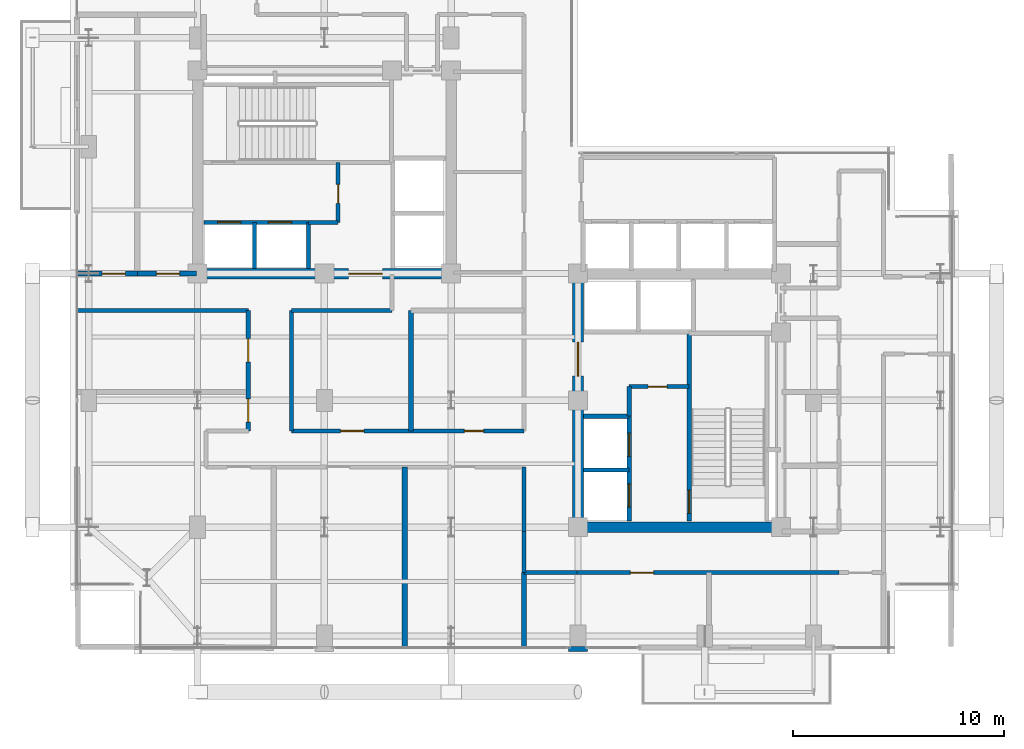
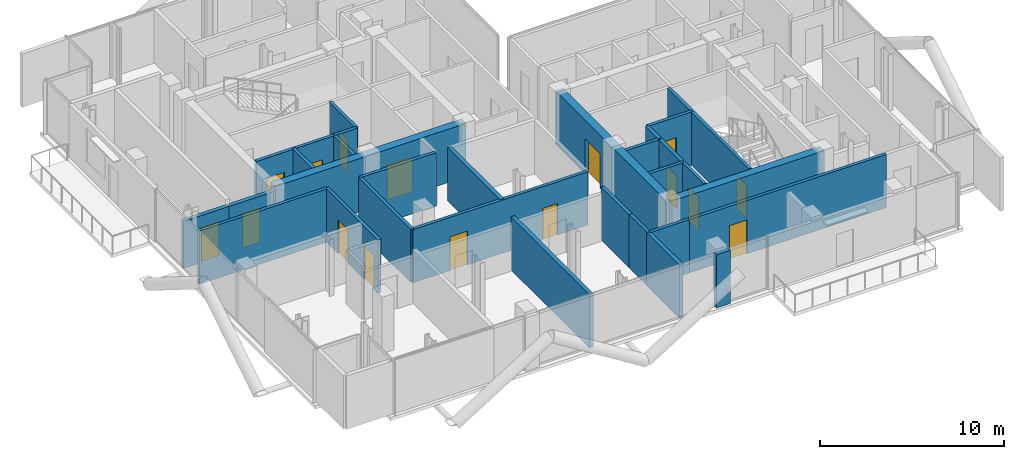
# One storey, part 20 of 26: 29 walls, 16 doors, 16 openings.
"""IFC4 building model written with IfcOpenShell, lengths in metres."""

from ifc_helpers import new_model, si_unit, direction, frame, frame_2d, origin, place, context, subcontext, project, spatial, rectangle, extrude, material, layer, layer_set, type_object, element, fill, save


model = new_model("IFC4")

# Units and contexts
model_context = context("Model", 3, precision=1e-05, world=origin(), true_north=direction((0.0, 1.0)))
body_context = subcontext(model_context, "Body", "Model", "MODEL_VIEW")
ifc_project = project(units=[si_unit("LENGTHUNIT", "METRE"), si_unit("AREAUNIT", "SQUARE_METRE"), si_unit("VOLUMEUNIT", "CUBIC_METRE"), si_unit("PLANEANGLEUNIT", "RADIAN"), si_unit("MASSUNIT", "GRAM", prefix="KILO"), si_unit("THERMODYNAMICTEMPERATUREUNIT", "KELVIN"), si_unit("POWERUNIT", "WATT")], contexts=[model_context])

# Site, building, storey
site_placement = place(None, origin())
site = spatial("IfcSite", under=ifc_project, at=site_placement, CompositionType="ELEMENT")
building_placement = place(site_placement, origin())
building = spatial("IfcBuilding", under=site, at=building_placement, Name="Svarakhadi Broadcast Tower", CompositionType="ELEMENT")
storey_placement = place(building_placement, frame((0.0, 0.0, 180.449951171875)))
storey = spatial("IfcBuildingStorey", under=building, at=storey_placement, Name="L44", CompositionType="ELEMENT", Elevation=180.449951171875)

# Wall
ifc_material_1 = material(Name="Double-Stud Acoustic Studio Partition STC-62", Category="gypsum")
ifc_layer_1 = layer(ifc_material_1, 0.25)
ifc_layer_set_1 = layer_set([ifc_layer_1], Name="Double-Stud Acoustic Studio Partition STC-62")
wall_type_1 = type_object("IfcWallType", Name="Wall_Acoust_250", PredefinedType="PARTITIONING", material=ifc_layer_set_1)
wall_1_placement = place(storey_placement, frame((16.10009765625, 10.550048828125, 0.0), z_axis=(0.0, 0.0, 1.0), x_axis=(0.0, 1.0, 0.0)))
element("IfcWall", 1, at=wall_1_placement, inside=storey, type_object=wall_type_1, Name="L44 Central Review Briefing Pod Wall", PredefinedType="PARTITIONING", context=body_context, shape_type="SweptSolid", body=[
    extrude(rectangle(XDim=5.699951171875, YDim=0.25, at=frame_2d((2.85009765625, 0.0))), origin(), (0.0, 0.0, 1.0), 3.5400390625),
])

# Wall, opening, door
wall_2_placement = place(storey_placement, frame((0.300048828125, 18.0, 0.0), z_axis=(0.0, 0.0, 1.0), x_axis=(1.0, 0.0, 0.0)))
wall_2 = element("IfcWall", 2, at=wall_2_placement, inside=storey, type_object=wall_type_1, Name="L44 Diplomatic Sunset Lounge Wall", PredefinedType="PARTITIONING", context=body_context, shape_type="SweptSolid", body=[
    extrude(rectangle(XDim=2.849853515625, YDim=0.25, at=frame_2d((1.4248046875, 0.0))), origin(), (0.0, 0.0, 1.0), 3.132080078125),
])
opening_1_placement = place(wall_2_placement, frame((1.179931640625, 0.0, 0.0)))
opening_1 = element("IfcOpeningElement", 3, at=opening_1_placement, cuts=wall_2, Name="Opening D-11", PredefinedType="OPENING", context=body_context, shape_type="SweptSolid", body=[
    extrude(rectangle(XDim=1.10009765625, YDim=2.25, at=frame_2d((0.550048828125, 1.125))), frame((0.0, 0.135009765625, 0.0), z_axis=(0.0, -1.0, 0.0), x_axis=(1.0, 0.0, 0.0)), (0.0, 0.0, 1.0), 0.27001953125),
])
ifc_material_2 = material(Name="Solid-Core Teak Veneer Acoustic Timber Leaf", Category="wood")
door_type_1 = type_object("IfcDoorType", Name="Door_Acoust_D11", OperationType="SINGLE_SWING_RIGHT", PredefinedType="DOOR", material=ifc_material_2)
door_1_placement = place(opening_1_placement, origin())
door_1 = element("IfcDoor", 4, at=door_1_placement, inside=storey, type_object=door_type_1, Name="L44 Diplomatic Sunset Lounge Door", OperationType="SINGLE_SWING_RIGHT", OverallHeight=2.25, OverallWidth=1.10009765625, PredefinedType="DOOR", context=body_context, shape_type="SweptSolid", body=[
    extrude(rectangle(XDim=1.10009765625, YDim=2.25, at=frame_2d((0.550048828125, 1.125))), frame((0.0, 0.02490234375, 0.0), z_axis=(0.0, -1.0, 0.0), x_axis=(1.0, 0.0, 0.0)), (0.0, 0.0, 1.0), 0.050048828125),
])
fill(opening_1, door_1)

wall_3_placement = place(storey_placement, frame((3.14990234375, 18.0, 0.0), z_axis=(0.0, 0.0, 1.0), x_axis=(1.0, 0.0, 0.0)))
wall_3 = element("IfcWall", 5, at=wall_3_placement, inside=storey, type_object=wall_type_1, Name="L44 Ambassador Protocol Study Wall", PredefinedType="PARTITIONING", context=body_context, shape_type="SweptSolid", body=[
    extrude(rectangle(XDim=2.800048828125, YDim=0.25, at=frame_2d((1.39990234375, 0.0))), origin(), (0.0, 0.0, 1.0), 3.132080078125),
])
opening_2_placement = place(wall_3_placement, frame((0.89990234375, 0.0, 0.0)))
opening_2 = element("IfcOpeningElement", 6, at=opening_2_placement, cuts=wall_3, Name="Opening D-10", PredefinedType="OPENING", context=body_context, shape_type="SweptSolid", body=[
    extrude(rectangle(XDim=1.10009765625, YDim=2.25, at=frame_2d((0.550048828125, 1.125))), frame((0.0, 0.135009765625, 0.0), z_axis=(0.0, -1.0, 0.0), x_axis=(1.0, 0.0, 0.0)), (0.0, 0.0, 1.0), 0.27001953125),
])
door_type_2 = type_object("IfcDoorType", Name="Door_Acoust_D10", OperationType="SINGLE_SWING_LEFT", PredefinedType="DOOR", material=ifc_material_2)
door_2_placement = place(opening_2_placement, origin())
door_2 = element("IfcDoor", 7, at=door_2_placement, inside=storey, type_object=door_type_2, Name="L44 Ambassador Protocol Study Door", OperationType="SINGLE_SWING_LEFT", OverallHeight=2.25, OverallWidth=1.10009765625, PredefinedType="DOOR", context=body_context, shape_type="SweptSolid", body=[
    extrude(rectangle(XDim=1.10009765625, YDim=2.25, at=frame_2d((0.550048828125, 1.125))), frame((0.0, 0.02490234375, 0.0), z_axis=(0.0, -1.0, 0.0), x_axis=(1.0, 0.0, 0.0)), (0.0, 0.0, 1.0), 0.050048828125),
])
fill(opening_2, door_2)

# Walls
wall_4_placement = place(storey_placement, frame((21.449951171875, 0.300048828125, 0.0), z_axis=(0.0, 0.0, 1.0), x_axis=(0.0, 1.0, 0.0)))
element("IfcWall", 8, at=wall_4_placement, inside=storey, type_object=wall_type_1, Name="L44 Hotel Business Centre Office Wall", PredefinedType="PARTITIONING", context=body_context, shape_type="SweptSolid", body=[
    extrude(rectangle(XDim=3.550048828125, YDim=0.25, at=frame_2d((1.77490234375, 0.0))), origin(), (0.0, 0.0, 1.0), 3.5400390625),
])
wall_5_placement = place(storey_placement, frame((15.800048828125, 0.300048828125, 0.0), z_axis=(0.0, 0.0, 1.0), x_axis=(0.0, 1.0, 0.0)))
element("IfcWall", 9, at=wall_5_placement, inside=storey, type_object=wall_type_1, Name="L44 Hotel Diplomatic Boardroom Wall", PredefinedType="PARTITIONING", context=body_context, shape_type="SweptSolid", body=[
    extrude(rectangle(XDim=8.550048828125, YDim=0.25, at=frame_2d((4.27490234375, 0.0))), origin(), (0.0, 0.0, 1.0), 3.5400390625),
])
ifc_material_3 = material(Name="Concrete C40/50 (IS 456 M50)", Category="concrete")
ifc_layer_2 = layer(ifc_material_3, 0.239990234375)
ifc_layer_set_2 = layer_set([ifc_layer_2], Name="Concrete C40/50 (IS 456 M50)")
wall_type_2 = type_object("IfcWallType", Name="Wall_Ext_240", PredefinedType="SOLIDWALL", material=ifc_layer_set_2)
wall_6_placement = place(storey_placement, frame((24.43994140625, 0.239990234375, 0.0), z_axis=(0.0, 0.0, 1.0), x_axis=(-1.0, 0.0, 0.0)))
element("IfcWall", 10, at=wall_6_placement, inside=storey, type_object=wall_type_2, Name="L44 Perimeter Bronze Spandrel Closure Wall 03", PredefinedType="SOLIDWALL", context=body_context, shape_type="SweptSolid", body=[
    extrude(rectangle(XDim=0.8798828125, YDim=0.239990234375, at=frame_2d((0.43994140625, 0.0))), origin(), (0.0, 0.0, 1.0), 3.5400390625),
])

# Wall, opening, door
ifc_layer_3 = layer(ifc_material_3, 0.199951171875)
ifc_layer_set_3 = layer_set([ifc_layer_3], Name="Concrete C40/50 (IS 456 M50)")
wall_type_3 = type_object("IfcWallType", Name="Wall_Fire_200", PredefinedType="SOLIDWALL", material=ifc_layer_set_3)
wall_7_placement = place(storey_placement, frame((36.35009765625, 3.85009765625, 0.0), z_axis=(0.0, 0.0, 1.0), x_axis=(-1.0, 0.0, 0.0)))
wall_7 = element("IfcWall", 11, at=wall_7_placement, inside=storey, type_object=wall_type_3, Name="L44 Zone 2/3 Corridor Wall", PredefinedType="SOLIDWALL", context=body_context, shape_type="SweptSolid", body=[
    extrude(rectangle(XDim=12.400146484375, YDim=0.199951171875, at=frame_2d((6.2001953125, 0.0))), origin(), (0.0, 0.0, 1.0), 3.5400390625),
])
opening_3_placement = place(wall_7_placement, frame((8.77490234375, 0.0, 0.0)))
opening_3 = element("IfcOpeningElement", 12, at=opening_3_placement, cuts=wall_7, Name="Opening D-11", PredefinedType="OPENING", context=body_context, shape_type="SweptSolid", body=[
    extrude(rectangle(XDim=1.10009765625, YDim=2.25, at=frame_2d((0.550048828125, 1.125))), frame((0.0, 0.10986328125, 0.0), z_axis=(0.0, -1.0, 0.0), x_axis=(1.0, 0.0, 0.0)), (0.0, 0.0, 1.0), 0.219970703125),
])
door_3_placement = place(opening_3_placement, origin())
door_3 = element("IfcDoor", 13, at=door_3_placement, inside=storey, type_object=door_type_1, Name="L44 Hotel Business Centre Office Door", OperationType="SINGLE_SWING_RIGHT", OverallHeight=2.25, OverallWidth=1.10009765625, PredefinedType="DOOR", context=body_context, shape_type="SweptSolid", body=[
    extrude(rectangle(XDim=1.10009765625, YDim=2.25, at=frame_2d((0.550048828125, 1.125))), frame((0.0, 0.02490234375, 0.0), z_axis=(0.0, -1.0, 0.0), x_axis=(1.0, 0.0, 0.0)), (0.0, 0.0, 1.0), 0.050048828125),
])
fill(opening_3, door_3)

# Walls
wall_8_placement = place(storey_placement, frame((23.949951171875, 3.85009765625, 0.0), z_axis=(0.0, 0.0, 1.0), x_axis=(-1.0, 0.0, 0.0)))
element("IfcWall", 14, at=wall_8_placement, inside=storey, type_object=wall_type_3, Name="L44 Zone 2/3 Corridor Wall", PredefinedType="SOLIDWALL", context=body_context, shape_type="SweptSolid", body=[
    extrude(rectangle(XDim=2.5, YDim=0.199951171875, at=frame_2d((1.25, 0.0))), origin(), (0.0, 0.0, 1.0), 3.5400390625),
])
wall_9_placement = place(storey_placement, frame((21.449951171875, 3.85009765625, 0.0), z_axis=(0.0, 0.0, 1.0), x_axis=(0.0, 1.0, 0.0)))
element("IfcWall", 15, at=wall_9_placement, inside=storey, type_object=wall_type_3, Name="L44 Zone 2/3 Corridor Wall", PredefinedType="SOLIDWALL", context=body_context, shape_type="SweptSolid", body=[
    extrude(rectangle(XDim=1.949951171875, YDim=0.199951171875, at=frame_2d((0.97509765625, 0.0))), origin(), (0.0, 0.0, 1.0), 3.5400390625),
])
wall_10_placement = place(storey_placement, frame((21.449951171875, 5.800048828125, 0.0), z_axis=(0.0, 0.0, 1.0), x_axis=(0.0, 1.0, 0.0)))
element("IfcWall", 16, at=wall_10_placement, inside=storey, type_object=wall_type_3, Name="L44 Zone 2/3 Corridor Wall", PredefinedType="SOLIDWALL", context=body_context, shape_type="SweptSolid", body=[
    extrude(rectangle(XDim=3.050048828125, YDim=0.199951171875, at=frame_2d((1.52490234375, 0.0))), origin(), (0.0, 0.0, 1.0), 3.5400390625),
])

# Wall, openings, doors
wall_11_placement = place(storey_placement, frame((8.39990234375, 10.550048828125, 0.0), z_axis=(0.0, 0.0, 1.0), x_axis=(0.0, 1.0, 0.0)))
wall_11 = element("IfcWall", 17, at=wall_11_placement, inside=storey, type_object=wall_type_3, Name="L44 Zone 2/3 Corridor Wall", PredefinedType="SOLIDWALL", context=body_context, shape_type="SweptSolid", body=[
    extrude(rectangle(XDim=5.699951171875, YDim=0.199951171875, at=frame_2d((2.85009765625, 0.0))), origin(), (0.0, 0.0, 1.0), 3.5400390625),
])
opening_4_placement = place(wall_11_placement, frame((0.425048828125, 0.0, 0.0)))
opening_4 = element("IfcOpeningElement", 18, at=opening_4_placement, cuts=wall_11, Name="Opening D-11", PredefinedType="OPENING", context=body_context, shape_type="SweptSolid", body=[
    extrude(rectangle(XDim=1.10009765625, YDim=2.25, at=frame_2d((0.550048828125, 1.125))), frame((0.0, 0.10986328125, 0.0), z_axis=(0.0, -1.0, 0.0), x_axis=(1.0, 0.0, 0.0)), (0.0, 0.0, 1.0), 0.219970703125),
])
opening_5_placement = place(wall_11_placement, frame((3.27490234375, 0.0, 0.0)))
opening_5 = element("IfcOpeningElement", 19, at=opening_5_placement, cuts=wall_11, Name="Opening D-10", PredefinedType="OPENING", context=body_context, shape_type="SweptSolid", body=[
    extrude(rectangle(XDim=1.10009765625, YDim=2.25, at=frame_2d((0.550048828125, 1.125))), frame((0.0, 0.10986328125, 0.0), z_axis=(0.0, -1.0, 0.0), x_axis=(1.0, 0.0, 0.0)), (0.0, 0.0, 1.0), 0.219970703125),
])
door_4_placement = place(opening_5_placement, origin())
door_4 = element("IfcDoor", 20, at=door_4_placement, inside=storey, type_object=door_type_2, Name="L44 VIP Cigar and Reading Lounge Door", OperationType="SINGLE_SWING_LEFT", OverallHeight=2.25, OverallWidth=1.10009765625, PredefinedType="DOOR", context=body_context, shape_type="SweptSolid", body=[
    extrude(rectangle(XDim=1.10009765625, YDim=2.25, at=frame_2d((0.550048828125, 1.125))), frame((0.0, 0.02490234375, 0.0), z_axis=(0.0, -1.0, 0.0), x_axis=(1.0, 0.0, 0.0)), (0.0, 0.0, 1.0), 0.050048828125),
])
fill(opening_5, door_4)
door_5_placement = place(opening_4_placement, origin())
door_5 = element("IfcDoor", 21, at=door_5_placement, inside=storey, type_object=door_type_1, Name="L44 Club Floor Pantry Kitchen Door", OperationType="SINGLE_SWING_RIGHT", OverallHeight=2.25, OverallWidth=1.10009765625, PredefinedType="DOOR", context=body_context, shape_type="SweptSolid", body=[
    extrude(rectangle(XDim=1.10009765625, YDim=2.25, at=frame_2d((0.550048828125, 1.125))), frame((0.0, 0.02490234375, 0.0), z_axis=(0.0, -1.0, 0.0), x_axis=(1.0, 0.0, 0.0)), (0.0, 0.0, 1.0), 0.050048828125),
])
fill(opening_4, door_5)

# Walls
wall_12_placement = place(storey_placement, frame((8.39990234375, 16.25, 0.0), z_axis=(0.0, 0.0, 1.0), x_axis=(-1.0, 0.0, 0.0)))
element("IfcWall", 22, at=wall_12_placement, inside=storey, type_object=wall_type_3, Name="L44 Zone 2/3 Corridor Wall", PredefinedType="SOLIDWALL", context=body_context, shape_type="SweptSolid", body=[
    extrude(rectangle(XDim=8.099853515625, YDim=0.199951171875, at=frame_2d((4.0498046875, 0.0))), origin(), (0.0, 0.0, 1.0), 3.5400390625),
])
wall_13_placement = place(storey_placement, frame((15.199951171875, 16.25, 0.0), z_axis=(0.0, 0.0, 1.0), x_axis=(-1.0, 0.0, 0.0)))
element("IfcWall", 23, at=wall_13_placement, inside=storey, type_object=wall_type_3, Name="L44 Zone 2/3 Corridor Wall", PredefinedType="SOLIDWALL", context=body_context, shape_type="SweptSolid", body=[
    extrude(rectangle(XDim=4.75, YDim=0.199951171875, at=frame_2d((2.375, 0.0))), origin(), (0.0, 0.0, 1.0), 3.5400390625),
])
wall_14_placement = place(storey_placement, frame((10.449951171875, 16.25, 0.0), z_axis=(0.0, 0.0, 1.0), x_axis=(0.0, -1.0, 0.0)))
element("IfcWall", 24, at=wall_14_placement, inside=storey, type_object=wall_type_3, Name="L44 Zone 2/3 Corridor Wall", PredefinedType="SOLIDWALL", context=body_context, shape_type="SweptSolid", body=[
    extrude(rectangle(XDim=5.699951171875, YDim=0.199951171875, at=frame_2d((2.85009765625, 0.0))), origin(), (0.0, 0.0, 1.0), 3.5400390625),
])

# Wall, openings, doors
wall_15_placement = place(storey_placement, frame((10.449951171875, 10.550048828125, 0.0), z_axis=(0.0, 0.0, 1.0), x_axis=(1.0, 0.0, 0.0)))
wall_15 = element("IfcWall", 25, at=wall_15_placement, inside=storey, type_object=wall_type_3, Name="L44 Zone 2/3 Corridor Wall", PredefinedType="SOLIDWALL", context=body_context, shape_type="SweptSolid", body=[
    extrude(rectangle(XDim=11.0, YDim=0.199951171875, at=frame_2d((5.5, 0.0))), origin(), (0.0, 0.0, 1.0), 3.5400390625),
])
opening_6_placement = place(wall_15_placement, frame((2.324951171875, 0.0, 0.0)))
opening_6 = element("IfcOpeningElement", 26, at=opening_6_placement, cuts=wall_15, Name="Opening D-11", PredefinedType="OPENING", context=body_context, shape_type="SweptSolid", body=[
    extrude(rectangle(XDim=1.10009765625, YDim=2.25, at=frame_2d((0.550048828125, 1.125))), frame((0.0, 0.10986328125, 0.0), z_axis=(0.0, -1.0, 0.0), x_axis=(1.0, 0.0, 0.0)), (0.0, 0.0, 1.0), 0.219970703125),
])
opening_7_placement = place(wall_15_placement, frame((8.179931640625, 0.0, 0.0)))
opening_7 = element("IfcOpeningElement", 27, at=opening_7_placement, cuts=wall_15, Name="Opening D-12", PredefinedType="OPENING", context=body_context, shape_type="SweptSolid", body=[
    extrude(rectangle(XDim=0.89990234375, YDim=2.10009765625, at=frame_2d((0.449951171875, 1.050048828125))), frame((0.0, 0.10986328125, 0.0), z_axis=(0.0, -1.0, 0.0), x_axis=(1.0, 0.0, 0.0)), (0.0, 0.0, 1.0), 0.219970703125),
])
door_6_placement = place(opening_6_placement, origin())
door_6 = element("IfcDoor", 28, at=door_6_placement, inside=storey, type_object=door_type_1, Name="L44 Central Review Briefing Pod Door", OperationType="SINGLE_SWING_RIGHT", OverallHeight=2.25, OverallWidth=1.10009765625, PredefinedType="DOOR", context=body_context, shape_type="SweptSolid", body=[
    extrude(rectangle(XDim=1.10009765625, YDim=2.25, at=frame_2d((0.550048828125, 1.125))), frame((0.0, 0.02490234375, 0.0), z_axis=(0.0, -1.0, 0.0), x_axis=(1.0, 0.0, 0.0)), (0.0, 0.0, 1.0), 0.050048828125),
])
fill(opening_6, door_6)
door_type_3 = type_object("IfcDoorType", Name="Door_WC_D01", OperationType="SINGLE_SWING_LEFT", PredefinedType="DOOR", material=ifc_material_2)
door_7_placement = place(opening_7_placement, origin())
door_7 = element("IfcDoor", 29, at=door_7_placement, inside=storey, type_object=door_type_3, Name="L44 Accessible Floor Washroom WC Door", OperationType="SINGLE_SWING_LEFT", OverallHeight=2.10009765625, OverallWidth=0.89990234375, PredefinedType="DOOR", context=body_context, shape_type="SweptSolid", body=[
    extrude(rectangle(XDim=0.89990234375, YDim=2.10009765625, at=frame_2d((0.449951171875, 1.050048828125))), frame((0.0, 0.02490234375, 0.0), z_axis=(0.0, -1.0, 0.0), x_axis=(1.0, 0.0, 0.0)), (0.0, 0.0, 1.0), 0.050048828125),
])
fill(opening_7, door_7)

# Wall, opening, door
ifc_material_4 = material(Name="Concrete C50/60 (IS 456 M60)", Category="concrete")
ifc_layer_4 = layer(ifc_material_4, 0.199951171875)
ifc_layer_set_4 = layer_set([ifc_layer_4], Name="Concrete C50/60 (IS 456 M60)")
wall_type_4 = type_object("IfcWallType", Name="Wall_Shear_200", PredefinedType="SHEAR", material=ifc_layer_set_4)
wall_16_placement = place(storey_placement, frame((29.260009765625, 6.300048828125, 0.0), z_axis=(0.0, 0.0, 1.0), x_axis=(0.0, 1.0, 0.0)))
wall_16 = element("IfcWall", 30, at=wall_16_placement, inside=storey, type_object=wall_type_4, Name="L44 Stair ST-02 West RC Shaft Wall", PredefinedType="SHEAR", context=body_context, shape_type="SweptSolid", body=[
    extrude(rectangle(XDim=8.8798828125, YDim=0.199951171875, at=frame_2d((4.43994140625, 0.0))), origin(), (0.0, 0.0, 1.0), 3.5400390625),
])
opening_8_placement = place(wall_16_placement, frame((0.35009765625, 0.0, 0.0)))
opening_8 = element("IfcOpeningElement", 31, at=opening_8_placement, cuts=wall_16, Name="Opening D-02", PredefinedType="OPENING", context=body_context, shape_type="SweptSolid", body=[
    extrude(rectangle(XDim=1.10009765625, YDim=2.199951171875, at=frame_2d((0.550048828125, 1.10009765625))), frame((0.0, 0.10986328125, 0.0), z_axis=(0.0, -1.0, 0.0), x_axis=(1.0, 0.0, 0.0)), (0.0, 0.0, 1.0), 0.219970703125),
])
ifc_material_5 = material(Name="Galvanised Powder-Coated Fire-Rated Steel Leaf", Category="steel")
door_type_4 = type_object("IfcDoorType", Name="Door_Stair_D02", OperationType="SINGLE_SWING_RIGHT", PredefinedType="DOOR", material=ifc_material_5)
door_8_placement = place(opening_8_placement, origin())
door_8 = element("IfcDoor", 32, at=door_8_placement, inside=storey, type_object=door_type_4, Name="L44 Protected Exit Stair ST-02 Fire Door", OperationType="SINGLE_SWING_RIGHT", OverallHeight=2.199951171875, OverallWidth=1.10009765625, PredefinedType="DOOR", context=body_context, shape_type="SweptSolid", body=[
    extrude(rectangle(XDim=1.10009765625, YDim=2.199951171875, at=frame_2d((0.550048828125, 1.10009765625))), frame((0.0, 0.02490234375, 0.0), z_axis=(0.0, -1.0, 0.0), x_axis=(1.0, 0.0, 0.0)), (0.0, 0.0, 1.0), 0.050048828125),
])
fill(opening_8, door_8)

# Wall, openings, doors
wall_17_placement = place(storey_placement, frame((6.300048828125, 20.419921875, 0.0), z_axis=(0.0, 0.0, 1.0), x_axis=(1.0, 0.0, 0.0)))
wall_17 = element("IfcWall", 33, at=wall_17_placement, inside=storey, type_object=wall_type_4, Name="L44 Firefighting Lift LF-01/02 Shaft Wall", PredefinedType="SHEAR", context=body_context, shape_type="SweptSolid", body=[
    extrude(rectangle(XDim=4.949951171875, YDim=0.199951171875, at=frame_2d((2.47509765625, 0.0))), origin(), (0.0, 0.0, 1.0), 3.5400390625),
])
opening_9_placement = place(wall_17_placement, frame((0.64990234375, 0.0, 0.0)))
opening_9 = element("IfcOpeningElement", 34, at=opening_9_placement, cuts=wall_17, Name="Opening LD-01", PredefinedType="OPENING", context=body_context, shape_type="SweptSolid", body=[
    extrude(rectangle(XDim=1.10009765625, YDim=2.199951171875, at=frame_2d((0.550048828125, 1.10009765625))), frame((0.0, 0.10986328125, 0.0), z_axis=(0.0, -1.0, 0.0), x_axis=(1.0, 0.0, 0.0)), (0.0, 0.0, 1.0), 0.219970703125),
])
opening_10_placement = place(wall_17_placement, frame((3.050048828125, 0.0, 0.0)))
opening_10 = element("IfcOpeningElement", 35, at=opening_10_placement, cuts=wall_17, Name="Opening LD-01", PredefinedType="OPENING", context=body_context, shape_type="SweptSolid", body=[
    extrude(rectangle(XDim=1.10009765625, YDim=2.199951171875, at=frame_2d((0.550048828125, 1.10009765625))), frame((0.0, 0.10986328125, 0.0), z_axis=(0.0, -1.0, 0.0), x_axis=(1.0, 0.0, 0.0)), (0.0, 0.0, 1.0), 0.219970703125),
])
door_type_5 = type_object("IfcDoorType", Name="Door_Lift_LD01", OperationType="SLIDING_TO_LEFT", PredefinedType="DOOR", material=ifc_material_5)
door_9_placement = place(opening_9_placement, origin())
door_9 = element("IfcDoor", 36, at=door_9_placement, inside=storey, type_object=door_type_5, Name="L44 Firefighting Lift LF-01 Landing Door", OperationType="SLIDING_TO_LEFT", OverallHeight=2.199951171875, OverallWidth=1.10009765625, PredefinedType="DOOR", context=body_context, shape_type="SweptSolid", body=[
    extrude(rectangle(XDim=1.10009765625, YDim=2.199951171875, at=frame_2d((0.550048828125, 1.10009765625))), frame((0.0, 0.02490234375, 0.0), z_axis=(0.0, -1.0, 0.0), x_axis=(1.0, 0.0, 0.0)), (0.0, 0.0, 1.0), 0.050048828125),
])
fill(opening_9, door_9)
door_10_placement = place(opening_10_placement, origin())
door_10 = element("IfcDoor", 37, at=door_10_placement, inside=storey, type_object=door_type_5, Name="L44 Firefighting Lift LF-02 Landing Door", OperationType="SLIDING_TO_LEFT", OverallHeight=2.199951171875, OverallWidth=1.10009765625, PredefinedType="DOOR", context=body_context, shape_type="SweptSolid", body=[
    extrude(rectangle(XDim=1.10009765625, YDim=2.199951171875, at=frame_2d((0.550048828125, 1.10009765625))), frame((0.0, 0.02490234375, 0.0), z_axis=(0.0, -1.0, 0.0), x_axis=(1.0, 0.0, 0.0)), (0.0, 0.0, 1.0), 0.050048828125),
])
fill(opening_10, door_10)

# Walls
for number, where, z_axis, x_axis, name in (
    (38, (8.699951171875, 18.25, 0.0), (0.0, 0.0, 1.0), (0.0, 1.0, 0.0), "L44 Firefighting Lift LF-01/02 Divider Wall"),
    (39, (11.25, 18.25, 0.0), (0.0, 0.0, 1.0), (0.0, 1.0, 0.0), "L44 Firefighting Lift LF-02 East Wall"),
):
    element("IfcWall", number, at=place(storey_placement, frame(where, z_axis=z_axis, x_axis=x_axis)), inside=storey, type_object=wall_type_4, Name=name, PredefinedType="SHEAR", context=body_context, shape_type="SweptSolid", body=[
        extrude(rectangle(XDim=2.169921875, YDim=0.199951171875, at=frame_2d((1.0849609375, 0.0))), origin(), (0.0, 0.0, 1.0), 3.5400390625),
    ])
wall_18_placement = place(storey_placement, frame((11.25, 20.419921875, 0.0), z_axis=(0.0, 0.0, 1.0), x_axis=(1.0, 0.0, 0.0)))
element("IfcWall", 40, at=wall_18_placement, inside=storey, type_object=wall_type_4, Name="L44 West Firefighting Lobby South Wall", PredefinedType="SHEAR", context=body_context, shape_type="SweptSolid", body=[
    extrude(rectangle(XDim=1.39990234375, YDim=0.199951171875, at=frame_2d((0.699951171875, 0.0))), origin(), (0.0, 0.0, 1.0), 3.5400390625),
])

# Wall, opening, door
wall_19_placement = place(storey_placement, frame((12.64990234375, 20.419921875, 0.0), z_axis=(0.0, 0.0, 1.0), x_axis=(0.0, 1.0, 0.0)))
wall_19 = element("IfcWall", 41, at=wall_19_placement, inside=storey, type_object=wall_type_4, Name="L44 West Firefighting Lobby East Wall", PredefinedType="SHEAR", context=body_context, shape_type="SweptSolid", body=[
    extrude(rectangle(XDim=2.840087890625, YDim=0.199951171875, at=frame_2d((1.419921875, 0.0))), origin(), (0.0, 0.0, 1.0), 3.5400390625),
])
opening_11_placement = place(wall_19_placement, frame((0.89990234375, 0.0, 0.0)))
opening_11 = element("IfcOpeningElement", 42, at=opening_11_placement, cuts=wall_19, Name="Opening D-04", PredefinedType="OPENING", context=body_context, shape_type="SweptSolid", body=[
    extrude(rectangle(XDim=0.89990234375, YDim=2.14990234375, at=frame_2d((0.449951171875, 1.074951171875))), frame((0.0, 0.10986328125, 0.0), z_axis=(0.0, -1.0, 0.0), x_axis=(1.0, 0.0, 0.0)), (0.0, 0.0, 1.0), 0.219970703125),
])
door_type_6 = type_object("IfcDoorType", Name="Door_Fire_D04", OperationType="SINGLE_SWING_RIGHT", PredefinedType="DOOR", material=ifc_material_5)
door_11_placement = place(opening_11_placement, origin())
door_11 = element("IfcDoor", 43, at=door_11_placement, inside=storey, type_object=door_type_6, Name="L44 West Firefighting Lobby Fire Door", OperationType="SINGLE_SWING_RIGHT", OverallHeight=2.14990234375, OverallWidth=0.89990234375, PredefinedType="DOOR", context=body_context, shape_type="SweptSolid", body=[
    extrude(rectangle(XDim=0.89990234375, YDim=2.14990234375, at=frame_2d((0.449951171875, 1.074951171875))), frame((0.0, 0.02490234375, 0.0), z_axis=(0.0, -1.0, 0.0), x_axis=(1.0, 0.0, 0.0)), (0.0, 0.0, 1.0), 0.050048828125),
])
fill(opening_11, door_11)

# Wall, openings, doors
wall_20_placement = place(storey_placement, frame((26.419921875, 6.300048828125, 0.0), z_axis=(0.0, 0.0, 1.0), x_axis=(0.0, 1.0, 0.0)))
wall_20 = element("IfcWall", 44, at=wall_20_placement, inside=storey, type_object=wall_type_4, Name="L44 Firefighting Lift LF-03/04 Shaft Wall", PredefinedType="SHEAR", context=body_context, shape_type="SweptSolid", body=[
    extrude(rectangle(XDim=4.949951171875, YDim=0.199951171875, at=frame_2d((2.47509765625, 0.0))), origin(), (0.0, 0.0, 1.0), 3.5400390625),
])
opening_12_placement = place(wall_20_placement, frame((0.64990234375, 0.0, 0.0)))
opening_12 = element("IfcOpeningElement", 45, at=opening_12_placement, cuts=wall_20, Name="Opening LD-01", PredefinedType="OPENING", context=body_context, shape_type="SweptSolid", body=[
    extrude(rectangle(XDim=1.10009765625, YDim=2.199951171875, at=frame_2d((0.550048828125, 1.10009765625))), frame((0.0, 0.10986328125, 0.0), z_axis=(0.0, -1.0, 0.0), x_axis=(1.0, 0.0, 0.0)), (0.0, 0.0, 1.0), 0.219970703125),
])
opening_13_placement = place(wall_20_placement, frame((3.050048828125, 0.0, 0.0)))
opening_13 = element("IfcOpeningElement", 46, at=opening_13_placement, cuts=wall_20, Name="Opening LD-01", PredefinedType="OPENING", context=body_context, shape_type="SweptSolid", body=[
    extrude(rectangle(XDim=1.10009765625, YDim=2.199951171875, at=frame_2d((0.550048828125, 1.10009765625))), frame((0.0, 0.10986328125, 0.0), z_axis=(0.0, -1.0, 0.0), x_axis=(1.0, 0.0, 0.0)), (0.0, 0.0, 1.0), 0.219970703125),
])
door_12_placement = place(opening_12_placement, origin())
door_12 = element("IfcDoor", 47, at=door_12_placement, inside=storey, type_object=door_type_5, Name="L44 Firefighting Lift LF-03 Landing Door", OperationType="SLIDING_TO_LEFT", OverallHeight=2.199951171875, OverallWidth=1.10009765625, PredefinedType="DOOR", context=body_context, shape_type="SweptSolid", body=[
    extrude(rectangle(XDim=1.10009765625, YDim=2.199951171875, at=frame_2d((0.550048828125, 1.10009765625))), frame((0.0, 0.02490234375, 0.0), z_axis=(0.0, -1.0, 0.0), x_axis=(1.0, 0.0, 0.0)), (0.0, 0.0, 1.0), 0.050048828125),
])
fill(opening_12, door_12)
door_13_placement = place(opening_13_placement, origin())
door_13 = element("IfcDoor", 48, at=door_13_placement, inside=storey, type_object=door_type_5, Name="L44 Firefighting Lift LF-04 Landing Door", OperationType="SLIDING_TO_LEFT", OverallHeight=2.199951171875, OverallWidth=1.10009765625, PredefinedType="DOOR", context=body_context, shape_type="SweptSolid", body=[
    extrude(rectangle(XDim=1.10009765625, YDim=2.199951171875, at=frame_2d((0.550048828125, 1.10009765625))), frame((0.0, 0.02490234375, 0.0), z_axis=(0.0, -1.0, 0.0), x_axis=(1.0, 0.0, 0.0)), (0.0, 0.0, 1.0), 0.050048828125),
])
fill(opening_13, door_13)

# Walls
for number, where, z_axis, x_axis, name in (
    (49, (24.25, 8.699951171875, 0.0), (0.0, 0.0, 1.0), (1.0, 0.0, 0.0), "L44 Firefighting Lift LF-03/04 Divider Wall"),
    (50, (24.25, 11.25, 0.0), (0.0, 0.0, 1.0), (1.0, 0.0, 0.0), "L44 Firefighting Lift LF-04 North Wall"),
):
    element("IfcWall", number, at=place(storey_placement, frame(where, z_axis=z_axis, x_axis=x_axis)), inside=storey, type_object=wall_type_4, Name=name, PredefinedType="SHEAR", context=body_context, shape_type="SweptSolid", body=[
        extrude(rectangle(XDim=2.169921875, YDim=0.199951171875, at=frame_2d((1.0849609375, 0.0))), origin(), (0.0, 0.0, 1.0), 3.5400390625),
    ])
wall_21_placement = place(storey_placement, frame((26.419921875, 11.25, 0.0), z_axis=(0.0, 0.0, 1.0), x_axis=(0.0, 1.0, 0.0)))
element("IfcWall", 51, at=wall_21_placement, inside=storey, type_object=wall_type_4, Name="L44 East Firefighting Lobby West Wall", PredefinedType="SHEAR", context=body_context, shape_type="SweptSolid", body=[
    extrude(rectangle(XDim=1.39990234375, YDim=0.199951171875, at=frame_2d((0.699951171875, 0.0))), origin(), (0.0, 0.0, 1.0), 3.5400390625),
])

# Wall, opening, door
wall_22_placement = place(storey_placement, frame((26.419921875, 12.64990234375, 0.0), z_axis=(0.0, 0.0, 1.0), x_axis=(1.0, 0.0, 0.0)))
wall_22 = element("IfcWall", 52, at=wall_22_placement, inside=storey, type_object=wall_type_4, Name="L44 East Firefighting Lobby North Wall", PredefinedType="SHEAR", context=body_context, shape_type="SweptSolid", body=[
    extrude(rectangle(XDim=2.840087890625, YDim=0.199951171875, at=frame_2d((1.419921875, 0.0))), origin(), (0.0, 0.0, 1.0), 3.5400390625),
])
opening_14_placement = place(wall_22_placement, frame((0.89990234375, 0.0, 0.0)))
opening_14 = element("IfcOpeningElement", 53, at=opening_14_placement, cuts=wall_22, Name="Opening D-03", PredefinedType="OPENING", context=body_context, shape_type="SweptSolid", body=[
    extrude(rectangle(XDim=0.89990234375, YDim=2.14990234375, at=frame_2d((0.449951171875, 1.074951171875))), frame((0.0, 0.10986328125, 0.0), z_axis=(0.0, -1.0, 0.0), x_axis=(1.0, 0.0, 0.0)), (0.0, 0.0, 1.0), 0.219970703125),
])
door_type_7 = type_object("IfcDoorType", Name="Door_Fire_D03", OperationType="SINGLE_SWING_LEFT", PredefinedType="DOOR", material=ifc_material_5)
door_14_placement = place(opening_14_placement, origin())
door_14 = element("IfcDoor", 54, at=door_14_placement, inside=storey, type_object=door_type_7, Name="L44 East Firefighting Lobby Fire Door", OperationType="SINGLE_SWING_LEFT", OverallHeight=2.14990234375, OverallWidth=0.89990234375, PredefinedType="DOOR", context=body_context, shape_type="SweptSolid", body=[
    extrude(rectangle(XDim=0.89990234375, YDim=2.14990234375, at=frame_2d((0.449951171875, 1.074951171875))), frame((0.0, 0.02490234375, 0.0), z_axis=(0.0, -1.0, 0.0), x_axis=(1.0, 0.0, 0.0)), (0.0, 0.0, 1.0), 0.050048828125),
])
fill(opening_14, door_14)

ifc_layer_5 = layer(ifc_material_4, 0.5)
ifc_layer_set_5 = layer_set([ifc_layer_5], Name="Concrete C50/60 (IS 456 M60)")
wall_type_5 = type_object("IfcWallType", Name="Wall_Shear_500", PredefinedType="SHEAR", material=ifc_layer_set_5)
wall_23_placement = place(storey_placement, frame((6.0, 18.0, 0.0), z_axis=(0.0, 0.0, 1.0), x_axis=(1.0, 0.0, 0.0)))
wall_23 = element("IfcWall", 55, at=wall_23_placement, inside=storey, type_object=wall_type_5, Name="L44 West Core South Shear Wall", PredefinedType="SHEAR", context=body_context, shape_type="SweptSolid", body=[
    extrude(rectangle(XDim=12.0, YDim=0.5, at=frame_2d((6.0, 0.0))), origin(), (0.0, 0.0, 1.0), 3.5400390625),
])
opening_15_placement = place(wall_23_placement, frame((7.14990234375, 0.0, 0.0)))
opening_15 = element("IfcOpeningElement", 56, at=opening_15_placement, cuts=wall_23, Name="Opening D-05", PredefinedType="OPENING", context=body_context, shape_type="SweptSolid", body=[
    extrude(rectangle(XDim=1.60009765625, YDim=2.300048828125, at=frame_2d((0.800048828125, 1.14990234375))), frame((0.0, 0.260009765625, 0.0), z_axis=(0.0, -1.0, 0.0), x_axis=(1.0, 0.0, 0.0)), (0.0, 0.0, 1.0), 0.52001953125),
])
ifc_material_6 = material(Name="Anodised Bronze Aluminium AA 6063-T6", Category="aluminium")
door_type_8 = type_object("IfcDoorType", Name="Door_Lobby_D05", OperationType="DOUBLE_DOOR_SLIDING", PredefinedType="DOOR", material=ifc_material_6)
door_15_placement = place(opening_15_placement, origin())
door_15 = element("IfcDoor", 57, at=door_15_placement, inside=storey, type_object=door_type_8, Name="L44 West Core Passenger Lift Lobby Entrance Door", OperationType="DOUBLE_DOOR_SLIDING", OverallHeight=2.300048828125, OverallWidth=1.60009765625, PredefinedType="DOOR", context=body_context, shape_type="SweptSolid", body=[
    extrude(rectangle(XDim=1.60009765625, YDim=2.300048828125, at=frame_2d((0.800048828125, 1.14990234375))), frame((0.0, 0.02490234375, 0.0), z_axis=(0.0, -1.0, 0.0), x_axis=(1.0, 0.0, 0.0)), (0.0, 0.0, 1.0), 0.050048828125),
])
fill(opening_15, door_15)

# Wall
wall_24_placement = place(storey_placement, frame((24.0, 6.0, 0.0), z_axis=(0.0, 0.0, 1.0), x_axis=(1.0, 0.0, 0.0)))
element("IfcWall", 58, at=wall_24_placement, inside=storey, type_object=wall_type_5, Name="L44 East Core South Shear Wall", PredefinedType="SHEAR", context=body_context, shape_type="SweptSolid", body=[
    extrude(rectangle(XDim=9.60009765625, YDim=0.5, at=frame_2d((4.800048828125, 0.0))), origin(), (0.0, 0.0, 1.0), 3.5400390625),
])

# Wall, opening, door
wall_25_placement = place(storey_placement, frame((24.0, 6.0, 0.0), z_axis=(0.0, 0.0, 1.0), x_axis=(0.0, 1.0, 0.0)))
wall_25 = element("IfcWall", 59, at=wall_25_placement, inside=storey, type_object=wall_type_5, Name="L44 East Core West Shear Wall", PredefinedType="SHEAR", context=body_context, shape_type="SweptSolid", body=[
    extrude(rectangle(XDim=12.0, YDim=0.5, at=frame_2d((6.0, 0.0))), origin(), (0.0, 0.0, 1.0), 3.5400390625),
])
opening_16_placement = place(wall_25_placement, frame((7.14990234375, 0.0, 0.0)))
opening_16 = element("IfcOpeningElement", 60, at=opening_16_placement, cuts=wall_25, Name="Opening D-05", PredefinedType="OPENING", context=body_context, shape_type="SweptSolid", body=[
    extrude(rectangle(XDim=1.60009765625, YDim=2.300048828125, at=frame_2d((0.800048828125, 1.14990234375))), frame((0.0, 0.260009765625, 0.0), z_axis=(0.0, -1.0, 0.0), x_axis=(1.0, 0.0, 0.0)), (0.0, 0.0, 1.0), 0.52001953125),
])
door_16_placement = place(opening_16_placement, origin())
door_16 = element("IfcDoor", 61, at=door_16_placement, inside=storey, type_object=door_type_8, Name="L44 East Core Passenger Lift Lobby Entrance Door", OperationType="DOUBLE_DOOR_SLIDING", OverallHeight=2.300048828125, OverallWidth=1.60009765625, PredefinedType="DOOR", context=body_context, shape_type="SweptSolid", body=[
    extrude(rectangle(XDim=1.60009765625, YDim=2.300048828125, at=frame_2d((0.800048828125, 1.14990234375))), frame((0.0, 0.02490234375, 0.0), z_axis=(0.0, -1.0, 0.0), x_axis=(1.0, 0.0, 0.0)), (0.0, 0.0, 1.0), 0.050048828125),
])
fill(opening_16, door_16)

save(model, "model.ifc")
